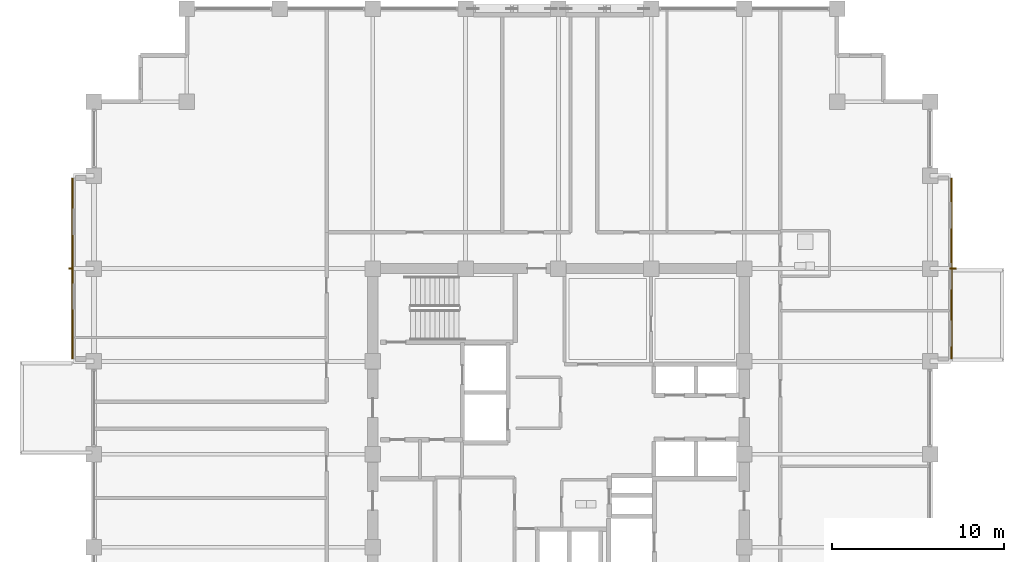
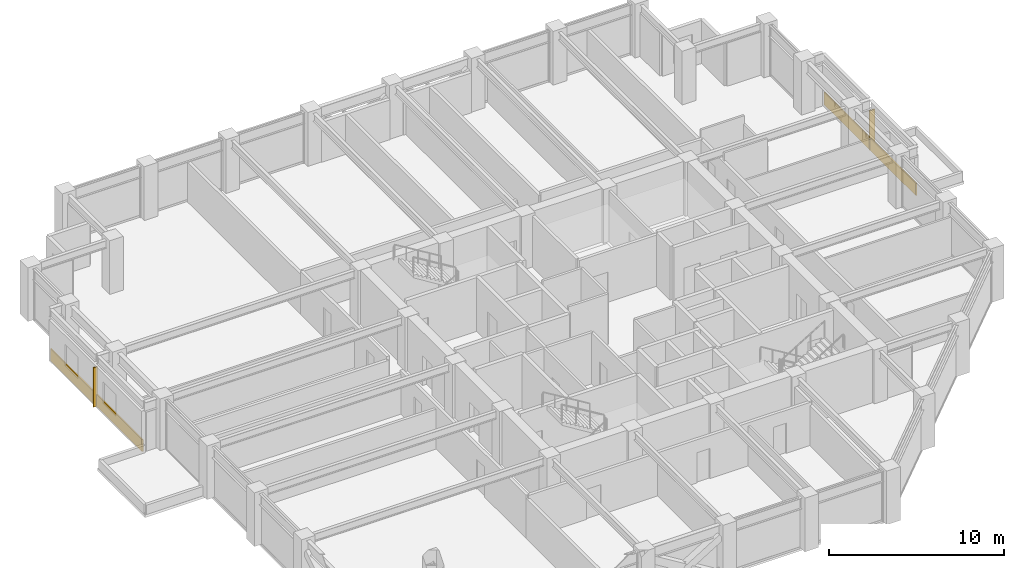
# One storey, part 27 of 28: 2 coverings, 2 shading devices.
"""IFC4 building model written with IfcOpenShell, lengths in metres."""

from ifc_helpers import new_model, si_unit, direction, frame, origin, origin_2d, place, context, subcontext, project, spatial, rectangle, extrude, material, layer, layer_set, type_object, element, save


model = new_model("IFC4")

# Units and contexts
model_context = context("Model", 3, precision=1e-05, world=origin(), true_north=direction((0.0, 1.0)))
body_context = subcontext(model_context, "Body", "Model", "MODEL_VIEW")
ifc_project = project(units=[si_unit("LENGTHUNIT", "METRE"), si_unit("AREAUNIT", "SQUARE_METRE"), si_unit("VOLUMEUNIT", "CUBIC_METRE"), si_unit("PLANEANGLEUNIT", "RADIAN"), si_unit("MASSUNIT", "GRAM", prefix="KILO")], contexts=[model_context])

# Site, building, storey
site_placement = place(None, origin())
site = spatial("IfcSite", under=ifc_project, at=site_placement, CompositionType="ELEMENT")
building_placement = place(site_placement, origin())
building = spatial("IfcBuilding", under=site, at=building_placement, Name="Surkhivell Harbour Commons", CompositionType="ELEMENT")
storey_placement = place(building_placement, frame((0.0, 0.0, 182.25)))
storey = spatial("IfcBuildingStorey", under=building, at=storey_placement, Name="L47", CompositionType="ELEMENT", Elevation=182.25)

# Coverings
ifc_material_1 = material(Name="Saffron-gold enamelled aluminium cassette panel", Category="aluminium")
ifc_layer_1 = layer(ifc_material_1, 0.070068359375)
ifc_layer_set_1 = layer_set([ifc_layer_1], Name="Saffron-gold enamelled aluminium cassette panel")
covering_type_1 = type_object("IfcCoveringType", Name="COV-CLAD-SAF", PredefinedType="CLADDING", material=ifc_layer_set_1)
covering_1_placement = place(storey_placement, frame((22.840087890625, 10.800048828125, 0.0), z_axis=(0.0, 0.0, 1.0), x_axis=(1.0, 0.0, 0.0)))
element("IfcCovering", 1, at=covering_1_placement, inside=storey, type_object=covering_type_1, Name="L47 Coloured-Panel Box Spandrel Cassette 01", PredefinedType="CLADDING", context=body_context, shape_type="SweptSolid", body=[
    extrude(rectangle(XDim=0.080078125, YDim=10.5, at=origin_2d()), origin(), (0.0, 0.0, 1.0), 0.840087890625),
])
ifc_material_2 = material(Name="Vermilion-coral enamelled aluminium cassette panel", Category="aluminium")
ifc_layer_2 = layer(ifc_material_2, 0.074951171875)
ifc_layer_set_2 = layer_set([ifc_layer_2], Name="Vermilion-coral enamelled aluminium cassette panel")
covering_type_2 = type_object("IfcCoveringType", Name="COV-CLAD-VER", PredefinedType="CLADDING", material=ifc_layer_set_2)
covering_2_placement = place(storey_placement, frame((-28.239990234375, 10.800048828125, 0.0), z_axis=(0.0, 0.0, 1.0), x_axis=(1.0, 0.0, 0.0)))
element("IfcCovering", 2, at=covering_2_placement, inside=storey, type_object=covering_type_2, Name="L47 Coloured-Panel Box Spandrel Cassette 02", PredefinedType="CLADDING", context=body_context, shape_type="SweptSolid", body=[
    extrude(rectangle(XDim=0.080078125, YDim=10.5, at=origin_2d()), origin(), (0.0, 0.0, 1.0), 0.840087890625),
])

# Shading devices
ifc_material_3 = material(Name="Champagne anodised aluminium solar fin", Category="aluminium")
shading_device_type_1 = type_object("IfcShadingDeviceType", Name="SHD-FIN-SLIM", PredefinedType="USERDEFINED", material=ifc_material_3)
shading_device_1_placement = place(storey_placement, frame((-28.340087890625, 10.800048828125, 0.0048828125), z_axis=(0.0, 0.0, 1.0), x_axis=(1.0, 0.0, 0.0)))
element("IfcShadingDevice", 3, at=shading_device_1_placement, inside=storey, type_object=shading_device_type_1, Name="L47 Coloured-Box Solar Fin 02", ObjectType="FIN", PredefinedType="USERDEFINED", context=body_context, shape_type="SweptSolid", body=[
    extrude(rectangle(XDim=0.280029296875, YDim=0.080078125, at=origin_2d()), origin(), (0.0, 0.0, 1.0), 2.75),
])
ifc_material_4 = material(Name="Anodised pale-metal aluminium solar fin", Category="aluminium")
shading_device_type_2 = type_object("IfcShadingDeviceType", Name="SHD-FIN-VERT", PredefinedType="USERDEFINED", material=ifc_material_4)
shading_device_2_placement = place(storey_placement, frame((22.93994140625, 10.800048828125, 0.0048828125), z_axis=(0.0, 0.0, 1.0), x_axis=(1.0, 0.0, 0.0)))
element("IfcShadingDevice", 4, at=shading_device_2_placement, inside=storey, type_object=shading_device_type_2, Name="L47 Coloured-Box Solar Fin 01", ObjectType="FIN", PredefinedType="USERDEFINED", context=body_context, shape_type="SweptSolid", body=[
    extrude(rectangle(XDim=0.360107421875, YDim=0.090087890625, at=origin_2d()), origin(), (0.0, 0.0, 1.0), 2.75),
])

save(model, "model.ifc")
